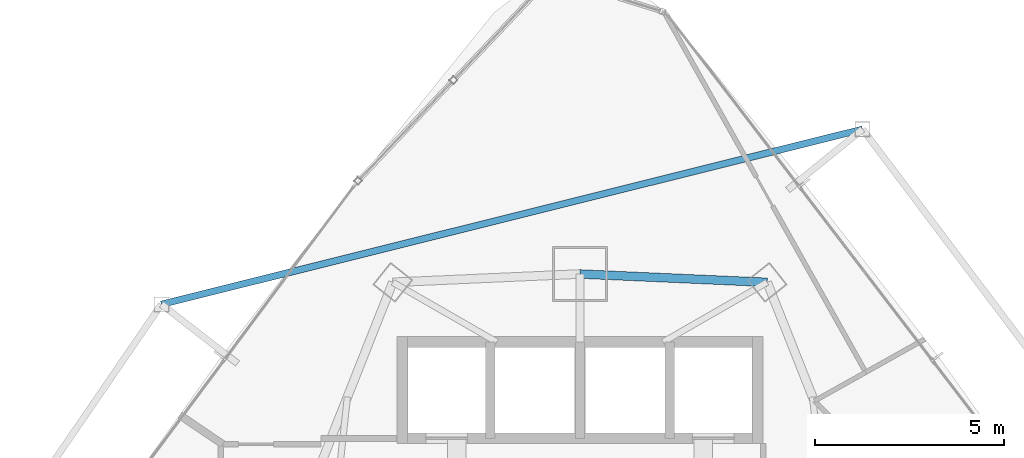
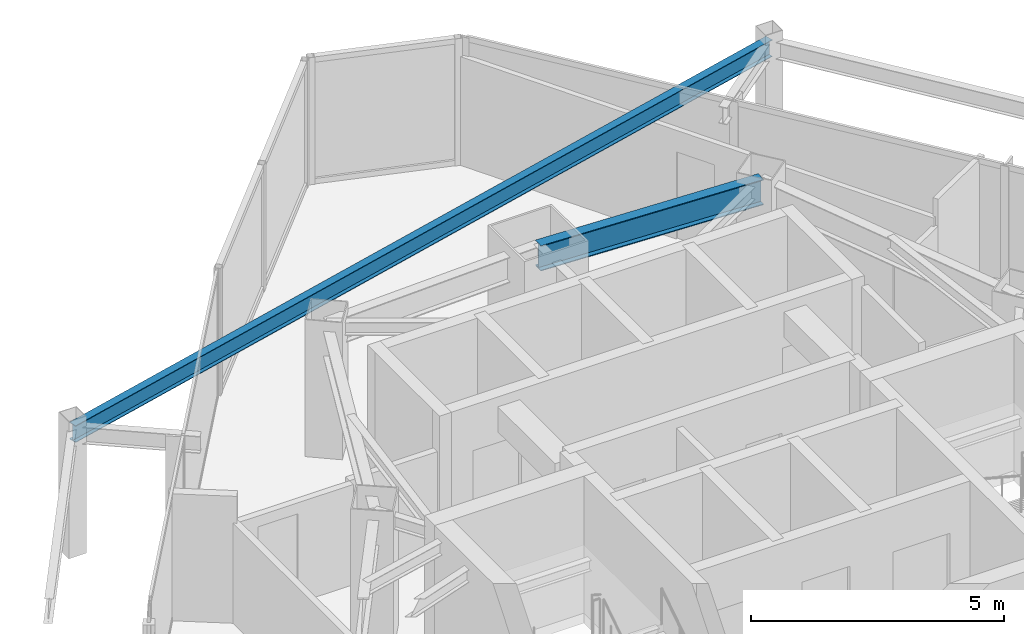
# One storey, part 23 of 33: 2 beams.
"""IFC4 building model written with IfcOpenShell, lengths in metres."""

from ifc_helpers import new_model, si_unit, direction, frame, origin, origin_2d, place, context, subcontext, project, spatial, i_section, extrude, material, material_profile, profile_set, type_object, element, save


model = new_model("IFC4")

# Units and contexts
model_context = context("Model", 3, precision=1e-05, world=origin(), true_north=direction((0.0, 1.0)))
body_context = subcontext(model_context, "Body", "Model", "MODEL_VIEW")
ifc_project = project(units=[si_unit("LENGTHUNIT", "METRE"), si_unit("AREAUNIT", "SQUARE_METRE"), si_unit("VOLUMEUNIT", "CUBIC_METRE"), si_unit("PLANEANGLEUNIT", "RADIAN"), si_unit("MASSUNIT", "GRAM", prefix="KILO")], contexts=[model_context])

# Site, building, storey
site_placement = place(None, origin())
site = spatial("IfcSite", under=ifc_project, at=site_placement, CompositionType="ELEMENT")
building_placement = place(site_placement, origin())
building = spatial("IfcBuilding", under=site, at=building_placement, Name="Orvanel Arch Residences", CompositionType="ELEMENT")
storey_placement = place(building_placement, frame((0.0, 0.0, 116.60009765625)))
storey = spatial("IfcBuildingStorey", under=building, at=storey_placement, Name="L32", CompositionType="ELEMENT", Elevation=116.60009765625)

# Beams
ifc_material = material(Name="Structural steel AS/NZS 3679.1 Grade 300 (300 MPa)", Category="steel")
ifc_material_profile_1 = material_profile(ifc_material, i_section(OverallWidth=0.177978515625, OverallDepth=0.406005859375, WebThickness=0.0078125, FlangeThickness=0.0126953125, at=origin_2d()), Name="410UB59.7")
ifc_profile_set_1 = profile_set([ifc_material_profile_1], Name="Structural steel AS/NZS 3679.1 Grade 300 (300 MPa)")
beam_type_1 = type_object("IfcBeamType", Name="OB-410UB-EXT", PredefinedType="SPANDREL", material=ifc_profile_set_1)
beam_1_placement = place(storey_placement, frame((40.47412109375, 45.22607421875, 2.85693359375), z_axis=(-0.970215338823, -0.242244084163, 0.0), x_axis=(0.242244084163, -0.970215338823, 0.0)))
element("IfcBeam", 1, at=beam_1_placement, inside=storey, type_object=beam_type_1, Name="L32 Outer Perimeter Floor Ring Beam 12", PredefinedType="SPANDREL", context=body_context, shape_type="SweptSolid", body=[
    extrude(i_section(OverallWidth=0.177978515625, OverallDepth=0.406005859375, WebThickness=0.0078125, FlangeThickness=0.0126953125, at=origin_2d()), origin(), (0.0, 0.0, 1.0), 19.113525390625),
])
ifc_material_profile_2 = material_profile(ifc_material, i_section(OverallWidth=0.22900390625, OverallDepth=0.612060546875, WebThickness=0.011962890625, FlangeThickness=0.01953125, at=origin_2d()), Name="610UB125")
ifc_profile_set_2 = profile_set([ifc_material_profile_2], Name="Structural steel AS/NZS 3679.1 Grade 300 (300 MPa)")
beam_type_2 = type_object("IfcBeamType", Name="SP-610UB", PredefinedType="SPANDREL", material=ifc_profile_set_2)
beam_2_placement = place(storey_placement, frame((37.949951171875, 41.177978515625, 2.75390625), z_axis=(-0.999014049296, 0.044395149614, 0.0), x_axis=(-0.044395149614, -0.999014049296, 0.0)))
element("IfcBeam", 2, at=beam_2_placement, inside=storey, type_object=beam_type_2, Name="L32 Perimeter Spandrel Beam 14", PredefinedType="SPANDREL", context=body_context, shape_type="SweptSolid", body=[
    extrude(i_section(OverallWidth=0.22900390625, OverallDepth=0.612060546875, WebThickness=0.011962890625, FlangeThickness=0.01953125, at=origin_2d()), origin(), (0.0, 0.0, 1.0), 4.954833984375),
])

save(model, "model.ifc")
